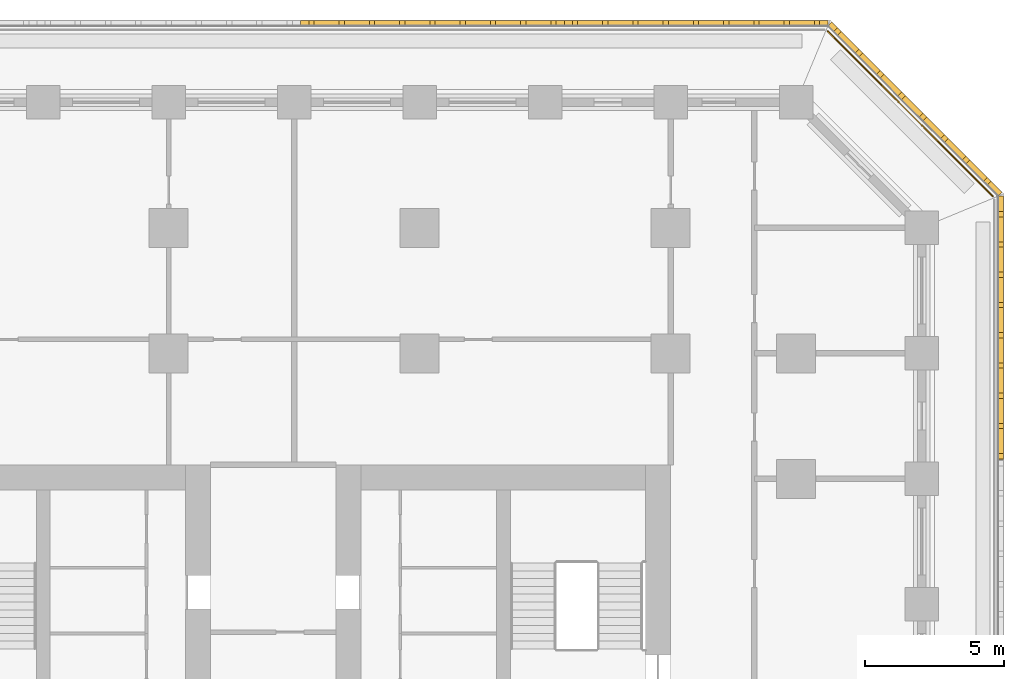
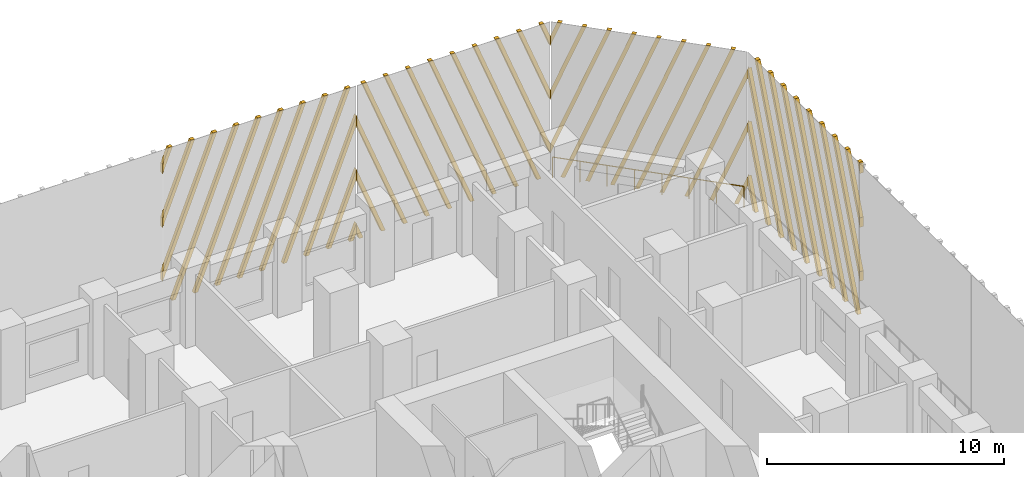
# One storey, part 18 of 19: 4 shading devices, 1 railing.
"""IFC4 building model written with IfcOpenShell, lengths in metres."""

from ifc_helpers import new_model, si_unit, direction, frame, origin, origin_2d, place, context, subcontext, project, spatial, polyline, circle, outline, extrude, source, transform, mapped, material, type_object, element, save


model = new_model("IFC4")

# Units and contexts
model_context = context("Model", 3, precision=1e-05, world=origin(), true_north=direction((0.0, 1.0)))
body_context = subcontext(model_context, "Body", "Model", "MODEL_VIEW")
ifc_project = project(units=[si_unit("LENGTHUNIT", "METRE"), si_unit("AREAUNIT", "SQUARE_METRE"), si_unit("VOLUMEUNIT", "CUBIC_METRE"), si_unit("PLANEANGLEUNIT", "RADIAN"), si_unit("MASSUNIT", "GRAM", prefix="KILO")], contexts=[model_context])

# Site, building, storey
site_placement = place(None, origin())
site = spatial("IfcSite", under=ifc_project, at=site_placement, CompositionType="ELEMENT")
building_placement = place(site_placement, origin())
building = spatial("IfcBuilding", under=site, at=building_placement, Name="Corbel Stack Research Tower", CompositionType="ELEMENT")
storey_placement = place(building_placement, frame((0.0, 0.0, 124.89990234375)))
storey = spatial("IfcBuildingStorey", under=building, at=storey_placement, Name="L28", CompositionType="ELEMENT", Elevation=124.89990234375)

# Railing
ifc_material_1 = material(Name="Powder-coated steel guard", Category="steel")
railing_type = type_object("IfcRailingType", Name="Steel and glass guard 1100", PredefinedType="GUARDRAIL", material=ifc_material_1)
railing_placement = place(storey_placement, frame((29.54931640625, 28.127685546875, 0.0)))
element("IfcRailing", 1, at=railing_placement, inside=storey, type_object=railing_type, Name="Loggia guard L28 NE", PredefinedType="GUARDRAIL", context=body_context, shape_type="SweptSolid", body=[
    extrude(circle(Radius=0.02392578125, at=origin_2d()), frame((0.0, 0.0, 1.076171875), z_axis=(-0.707106781187, 0.707106781187, 0.0), x_axis=(-0.707106781187, -0.707106781187, 0.0)), (0.0, 0.0, 1.0), 8.37451171875),
    extrude(circle(Radius=0.02099609375, at=origin_2d()), origin(), (0.0, 0.0, 1.0), 1.052001953125),
    extrude(circle(Radius=0.02099609375, at=origin_2d()), frame((-0.845947265625, 0.845947265625, 0.0)), (0.0, 0.0, 1.0), 1.052001953125),
    extrude(circle(Radius=0.02099609375, at=origin_2d()), frame((-1.69189453125, 1.69189453125, 0.0)), (0.0, 0.0, 1.0), 1.052001953125),
    extrude(circle(Radius=0.02099609375, at=origin_2d()), frame((-2.537841796875, 2.537841796875, 0.0)), (0.0, 0.0, 1.0), 1.052001953125),
    extrude(circle(Radius=0.02099609375, at=origin_2d()), frame((-3.3837890625, 3.3837890625, 0.0)), (0.0, 0.0, 1.0), 1.052001953125),
    extrude(circle(Radius=0.02099609375, at=origin_2d()), frame((-4.229736328125, 4.229736328125, 0.0)), (0.0, 0.0, 1.0), 1.052001953125),
    extrude(circle(Radius=0.02099609375, at=origin_2d()), frame((-5.07568359375, 5.07568359375, 0.0)), (0.0, 0.0, 1.0), 1.052001953125),
    extrude(circle(Radius=0.02099609375, at=origin_2d()), frame((-5.921630859375, 5.921630859375, 0.0)), (0.0, 0.0, 1.0), 1.052001953125),
])

# Shading devices
ifc_material_2 = material(Name="Precast terracotta", Category="masonry")
shading_device_type = type_object("IfcShadingDeviceType", Name="Terracotta screen panel", PredefinedType="USERDEFINED", material=ifc_material_2)
shared_shape_1 = source(origin(), body_context, "Body", "SweptSolid", [
    extrude(outline(polyline([(0.217041015625, 7.949951171875), (0.027099609375, 7.949951171875), (0.0, 7.880859375), (0.0, 7.394287109375), (0.217041015625, 7.949951171875)])), frame((0.0, 0.0, 0.0), z_axis=(0.0, -1.0, 0.0), x_axis=(1.0, 0.0, 0.0)), (0.0, 0.0, 1.0), 0.179931640625),
    extrude(outline(polyline([(1.3017578125, 7.949951171875), (1.11181640625, 7.949951171875), (0.0, 5.103515625), (0.0, 4.616943359375), (1.3017578125, 7.949951171875)])), frame((0.0, 0.0, 0.0), z_axis=(0.0, -1.0, 0.0), x_axis=(1.0, 0.0, 0.0)), (0.0, 0.0, 1.0), 0.179931640625),
    extrude(outline(polyline([(2.386474609375, 7.949951171875), (2.1962890625, 7.949951171875), (0.0, 2.326171875), (0.0, 1.839599609375), (2.386474609375, 7.949951171875)])), frame((0.0, 0.0, 0.0), z_axis=(0.0, -1.0, 0.0), x_axis=(1.0, 0.0, 0.0)), (0.0, 0.0, 1.0), 0.179931640625),
    extrude(outline(polyline([(0.3662109375, 0.0), (3.470947265625, 7.949951171875), (3.281005859375, 7.949951171875), (0.17626953125, 0.0), (0.3662109375, 0.0)])), frame((0.0, 0.0, 0.0), z_axis=(0.0, -1.0, 0.0), x_axis=(1.0, 0.0, 0.0)), (0.0, 0.0, 1.0), 0.179931640625),
    extrude(outline(polyline([(1.45068359375, 0.0), (4.5556640625, 7.949951171875), (4.36572265625, 7.949951171875), (1.2607421875, 0.0), (1.45068359375, 0.0)])), frame((0.0, 0.0, 0.0), z_axis=(0.0, -1.0, 0.0), x_axis=(1.0, 0.0, 0.0)), (0.0, 0.0, 1.0), 0.179931640625),
    extrude(outline(polyline([(2.535400390625, 0.0), (5.640380859375, 7.949951171875), (5.4501953125, 7.949951171875), (2.345458984375, 0.0), (2.535400390625, 0.0)])), frame((0.0, 0.0, 0.0), z_axis=(0.0, -1.0, 0.0), x_axis=(1.0, 0.0, 0.0)), (0.0, 0.0, 1.0), 0.179931640625),
    extrude(outline(polyline([(3.6201171875, 0.0), (6.72509765625, 7.949951171875), (6.534912109375, 7.949951171875), (3.43017578125, 0.0), (3.6201171875, 0.0)])), frame((0.0, 0.0, 0.0), z_axis=(0.0, -1.0, 0.0), x_axis=(1.0, 0.0, 0.0)), (0.0, 0.0, 1.0), 0.179931640625),
    extrude(outline(polyline([(4.704833984375, 0.0), (7.809814453125, 7.949951171875), (7.61962890625, 7.949951171875), (4.514892578125, 0.0), (4.704833984375, 0.0)])), frame((0.0, 0.0, 0.0), z_axis=(0.0, -1.0, 0.0), x_axis=(1.0, 0.0, 0.0)), (0.0, 0.0, 1.0), 0.179931640625),
    extrude(outline(polyline([(5.78955078125, 0.0), (8.894287109375, 7.949951171875), (8.704345703125, 7.949951171875), (5.599609375, 0.0), (5.78955078125, 0.0)])), frame((0.0, 0.0, 0.0), z_axis=(0.0, -1.0, 0.0), x_axis=(1.0, 0.0, 0.0)), (0.0, 0.0, 1.0), 0.179931640625),
    extrude(outline(polyline([(6.874267578125, 0.0), (9.45556640625, 6.60986328125), (9.45556640625, 7.096435546875), (6.68408203125, 0.0), (6.874267578125, 0.0)])), frame((0.0, 0.0, 0.0), z_axis=(0.0, -1.0, 0.0), x_axis=(1.0, 0.0, 0.0)), (0.0, 0.0, 1.0), 0.179931640625),
    extrude(outline(polyline([(7.958740234375, 0.0), (9.45556640625, 3.83251953125), (9.45556640625, 4.319091796875), (7.768798828125, 0.0), (7.958740234375, 0.0)])), frame((0.0, 0.0, 0.0), z_axis=(0.0, -1.0, 0.0), x_axis=(1.0, 0.0, 0.0)), (0.0, 0.0, 1.0), 0.179931640625),
    extrude(outline(polyline([(9.04345703125, 0.0), (9.45556640625, 1.055419921875), (9.45556640625, 1.541748046875), (8.853515625, 0.0), (9.04345703125, 0.0)])), frame((0.0, 0.0, 0.0), z_axis=(0.0, -1.0, 0.0), x_axis=(1.0, 0.0, 0.0)), (0.0, 0.0, 1.0), 0.179931640625),
])
shading_device_1_placement = place(storey_placement, frame((29.75, 18.68359375, 0.0), z_axis=(0.0, 0.0, 1.0), x_axis=(0.0, 1.0, 0.0)))
element("IfcShadingDevice", 2, at=shading_device_1_placement, inside=storey, type_object=shading_device_type, Name="Terracotta screen L28 E5", ObjectType="SCREEN", PredefinedType="USERDEFINED", context=body_context, shape_type="MappedRepresentation", body=[
    mapped(shared_shape_1, transform((0.0, 0.0, 0.0))),
])
shared_shape_2 = source(origin(), body_context, "Body", "SweptSolid", [
    extrude(outline(polyline([(0.60205078125, 0.0), (0.0, 1.541748046875), (0.0, 1.055419921875), (0.412109375, 0.0), (0.60205078125, 0.0)])), frame((0.0, 0.0, 0.0), z_axis=(0.0, -1.0, 0.0), x_axis=(1.0, 0.0, 0.0)), (0.0, 0.0, 1.0), 0.179931640625),
    extrude(outline(polyline([(1.686767578125, 0.0), (0.0, 4.319091796875), (0.0, 3.83251953125), (1.496826171875, 0.0), (1.686767578125, 0.0)])), frame((0.0, 0.0, 0.0), z_axis=(0.0, -1.0, 0.0), x_axis=(1.0, 0.0, 0.0)), (0.0, 0.0, 1.0), 0.179931640625),
    extrude(outline(polyline([(2.771484375, 0.0), (0.0, 7.096435546875), (0.0, 6.60986328125), (2.58154296875, 0.0), (2.771484375, 0.0)])), frame((0.0, 0.0, 0.0), z_axis=(0.0, -1.0, 0.0), x_axis=(1.0, 0.0, 0.0)), (0.0, 0.0, 1.0), 0.179931640625),
    extrude(outline(polyline([(3.856201171875, 0.0), (0.751220703125, 7.949951171875), (0.561279296875, 7.949951171875), (3.666015625, 0.0), (3.856201171875, 0.0)])), frame((0.0, 0.0, 0.0), z_axis=(0.0, -1.0, 0.0), x_axis=(1.0, 0.0, 0.0)), (0.0, 0.0, 1.0), 0.179931640625),
    extrude(outline(polyline([(4.94091796875, 0.0), (1.8359375, 7.949951171875), (1.64599609375, 7.949951171875), (4.750732421875, 0.0), (4.94091796875, 0.0)])), frame((0.0, 0.0, 0.0), z_axis=(0.0, -1.0, 0.0), x_axis=(1.0, 0.0, 0.0)), (0.0, 0.0, 1.0), 0.179931640625),
    extrude(outline(polyline([(6.025390625, 0.0), (2.920654296875, 7.949951171875), (2.730712890625, 7.949951171875), (5.83544921875, 0.0), (6.025390625, 0.0)])), frame((0.0, 0.0, 0.0), z_axis=(0.0, -1.0, 0.0), x_axis=(1.0, 0.0, 0.0)), (0.0, 0.0, 1.0), 0.179931640625),
    extrude(outline(polyline([(7.110107421875, 0.0), (4.00537109375, 7.949951171875), (3.815185546875, 7.949951171875), (6.920166015625, 0.0), (7.110107421875, 0.0)])), frame((0.0, 0.0, 0.0), z_axis=(0.0, -1.0, 0.0), x_axis=(1.0, 0.0, 0.0)), (0.0, 0.0, 1.0), 0.179931640625),
    extrude(outline(polyline([(8.19482421875, 0.0), (5.090087890625, 7.949951171875), (4.89990234375, 7.949951171875), (8.0048828125, 0.0), (8.19482421875, 0.0)])), frame((0.0, 0.0, 0.0), z_axis=(0.0, -1.0, 0.0), x_axis=(1.0, 0.0, 0.0)), (0.0, 0.0, 1.0), 0.179931640625),
    extrude(outline(polyline([(6.174560546875, 7.949951171875), (5.984619140625, 7.949951171875), (8.64208984375, 1.1455078125), (8.64208984375, 1.6318359375), (6.174560546875, 7.949951171875)])), frame((0.0, 0.0, 0.0), z_axis=(0.0, -1.0, 0.0), x_axis=(1.0, 0.0, 0.0)), (0.0, 0.0, 1.0), 0.179931640625),
    extrude(outline(polyline([(7.25927734375, 7.949951171875), (7.0693359375, 7.949951171875), (8.64208984375, 3.922607421875), (8.64208984375, 4.4091796875), (7.25927734375, 7.949951171875)])), frame((0.0, 0.0, 0.0), z_axis=(0.0, -1.0, 0.0), x_axis=(1.0, 0.0, 0.0)), (0.0, 0.0, 1.0), 0.179931640625),
    extrude(outline(polyline([(8.343994140625, 7.949951171875), (8.15380859375, 7.949951171875), (8.64208984375, 6.699951171875), (8.64208984375, 7.1865234375), (8.343994140625, 7.949951171875)])), frame((0.0, 0.0, 0.0), z_axis=(0.0, -1.0, 0.0), x_axis=(1.0, 0.0, 0.0)), (0.0, 0.0, 1.0), 0.179931640625),
])
shading_device_2_placement = place(storey_placement, frame((29.75, 28.13916015625, 0.0), z_axis=(0.0, 0.0, 1.0), x_axis=(-0.707106781187, 0.707106781187, 0.0)))
element("IfcShadingDevice", 3, at=shading_device_2_placement, inside=storey, type_object=shading_device_type, Name="Terracotta screen L28 NE1", ObjectType="SCREEN", PredefinedType="USERDEFINED", context=body_context, shape_type="MappedRepresentation", body=[
    mapped(shared_shape_2, transform((0.0, 0.0, 0.0))),
])
shared_shape_3 = source(origin(), body_context, "Body", "SweptSolid", [
    extrude(outline(polyline([(0.48828125, 7.949951171875), (0.298095703125, 7.949951171875), (0.0, 7.1865234375), (0.0, 6.699951171875), (0.48828125, 7.949951171875)])), frame((0.0, 0.0, 0.0), z_axis=(0.0, -1.0, 0.0), x_axis=(1.0, 0.0, 0.0)), (0.0, 0.0, 1.0), 0.179931640625),
    extrude(outline(polyline([(1.572998046875, 7.949951171875), (1.3828125, 7.949951171875), (0.0, 4.4091796875), (0.0, 3.922607421875), (1.572998046875, 7.949951171875)])), frame((0.0, 0.0, 0.0), z_axis=(0.0, -1.0, 0.0), x_axis=(1.0, 0.0, 0.0)), (0.0, 0.0, 1.0), 0.179931640625),
    extrude(outline(polyline([(2.657470703125, 7.949951171875), (2.467529296875, 7.949951171875), (0.0, 1.6318359375), (0.0, 1.1455078125), (2.657470703125, 7.949951171875)])), frame((0.0, 0.0, 0.0), z_axis=(0.0, -1.0, 0.0), x_axis=(1.0, 0.0, 0.0)), (0.0, 0.0, 1.0), 0.179931640625),
    extrude(outline(polyline([(0.63720703125, 0.0), (3.7421875, 7.949951171875), (3.55224609375, 7.949951171875), (0.447265625, 0.0), (0.63720703125, 0.0)])), frame((0.0, 0.0, 0.0), z_axis=(0.0, -1.0, 0.0), x_axis=(1.0, 0.0, 0.0)), (0.0, 0.0, 1.0), 0.179931640625),
    extrude(outline(polyline([(1.721923828125, 0.0), (4.826904296875, 7.949951171875), (4.636962890625, 7.949951171875), (1.531982421875, 0.0), (1.721923828125, 0.0)])), frame((0.0, 0.0, 0.0), z_axis=(0.0, -1.0, 0.0), x_axis=(1.0, 0.0, 0.0)), (0.0, 0.0, 1.0), 0.179931640625),
    extrude(outline(polyline([(2.806640625, 0.0), (5.91162109375, 7.949951171875), (5.721435546875, 7.949951171875), (2.61669921875, 0.0), (2.806640625, 0.0)])), frame((0.0, 0.0, 0.0), z_axis=(0.0, -1.0, 0.0), x_axis=(1.0, 0.0, 0.0)), (0.0, 0.0, 1.0), 0.179931640625),
    extrude(outline(polyline([(3.891357421875, 0.0), (6.99609375, 7.949951171875), (6.80615234375, 7.949951171875), (3.701416015625, 0.0), (3.891357421875, 0.0)])), frame((0.0, 0.0, 0.0), z_axis=(0.0, -1.0, 0.0), x_axis=(1.0, 0.0, 0.0)), (0.0, 0.0, 1.0), 0.179931640625),
    extrude(outline(polyline([(4.97607421875, 0.0), (8.080810546875, 7.949951171875), (7.890869140625, 7.949951171875), (4.785888671875, 0.0), (4.97607421875, 0.0)])), frame((0.0, 0.0, 0.0), z_axis=(0.0, -1.0, 0.0), x_axis=(1.0, 0.0, 0.0)), (0.0, 0.0, 1.0), 0.179931640625),
    extrude(outline(polyline([(6.060791015625, 0.0), (9.16552734375, 7.949951171875), (8.9755859375, 7.949951171875), (5.87060546875, 0.0), (6.060791015625, 0.0)])), frame((0.0, 0.0, 0.0), z_axis=(0.0, -1.0, 0.0), x_axis=(1.0, 0.0, 0.0)), (0.0, 0.0, 1.0), 0.179931640625),
    extrude(outline(polyline([(7.145263671875, 0.0), (9.45556640625, 5.91552734375), (9.45556640625, 6.402099609375), (6.955322265625, 0.0), (7.145263671875, 0.0)])), frame((0.0, 0.0, 0.0), z_axis=(0.0, -1.0, 0.0), x_axis=(1.0, 0.0, 0.0)), (0.0, 0.0, 1.0), 0.179931640625),
    extrude(outline(polyline([(8.22998046875, 0.0), (9.45556640625, 3.13818359375), (9.45556640625, 3.624755859375), (8.0400390625, 0.0), (8.22998046875, 0.0)])), frame((0.0, 0.0, 0.0), z_axis=(0.0, -1.0, 0.0), x_axis=(1.0, 0.0, 0.0)), (0.0, 0.0, 1.0), 0.179931640625),
    extrude(outline(polyline([(9.314697265625, 0.0), (9.45556640625, 0.361083984375), (9.45556640625, 0.847412109375), (9.124755859375, 0.0), (9.314697265625, 0.0)])), frame((0.0, 0.0, 0.0), z_axis=(0.0, -1.0, 0.0), x_axis=(1.0, 0.0, 0.0)), (0.0, 0.0, 1.0), 0.179931640625),
])
shading_device_3_placement = place(storey_placement, frame((23.63916015625, 34.25, 0.0), z_axis=(0.0, 0.0, 1.0), x_axis=(-1.0, 0.0, 0.0)))
element("IfcShadingDevice", 4, at=shading_device_3_placement, inside=storey, type_object=shading_device_type, Name="Terracotta screen L28 N1", ObjectType="SCREEN", PredefinedType="USERDEFINED", context=body_context, shape_type="MappedRepresentation", body=[
    mapped(shared_shape_3, transform((0.0, 0.0, 0.0))),
])
shared_shape_4 = source(origin(), body_context, "Body", "SweptSolid", [
    extrude(outline(polyline([(0.3310546875, 0.0), (0.0, 0.847412109375), (0.0, 0.361083984375), (0.14111328125, 0.0), (0.3310546875, 0.0)])), frame((0.0, 0.0, 0.0), z_axis=(0.0, -1.0, 0.0), x_axis=(1.0, 0.0, 0.0)), (0.0, 0.0, 1.0), 0.179931640625),
    extrude(outline(polyline([(1.41552734375, 0.0), (0.0, 3.624755859375), (0.0, 3.13818359375), (1.2255859375, 0.0), (1.41552734375, 0.0)])), frame((0.0, 0.0, 0.0), z_axis=(0.0, -1.0, 0.0), x_axis=(1.0, 0.0, 0.0)), (0.0, 0.0, 1.0), 0.179931640625),
    extrude(outline(polyline([(2.500244140625, 0.0), (0.0, 6.402099609375), (0.0, 5.91552734375), (2.310302734375, 0.0), (2.500244140625, 0.0)])), frame((0.0, 0.0, 0.0), z_axis=(0.0, -1.0, 0.0), x_axis=(1.0, 0.0, 0.0)), (0.0, 0.0, 1.0), 0.179931640625),
    extrude(outline(polyline([(3.5849609375, 0.0), (0.47998046875, 7.949951171875), (0.2900390625, 7.949951171875), (3.39501953125, 0.0), (3.5849609375, 0.0)])), frame((0.0, 0.0, 0.0), z_axis=(0.0, -1.0, 0.0), x_axis=(1.0, 0.0, 0.0)), (0.0, 0.0, 1.0), 0.179931640625),
    extrude(outline(polyline([(4.669677734375, 0.0), (1.564697265625, 7.949951171875), (1.374755859375, 7.949951171875), (4.4794921875, 0.0), (4.669677734375, 0.0)])), frame((0.0, 0.0, 0.0), z_axis=(0.0, -1.0, 0.0), x_axis=(1.0, 0.0, 0.0)), (0.0, 0.0, 1.0), 0.179931640625),
    extrude(outline(polyline([(5.75439453125, 0.0), (2.6494140625, 7.949951171875), (2.45947265625, 7.949951171875), (5.564208984375, 0.0), (5.75439453125, 0.0)])), frame((0.0, 0.0, 0.0), z_axis=(0.0, -1.0, 0.0), x_axis=(1.0, 0.0, 0.0)), (0.0, 0.0, 1.0), 0.179931640625),
    extrude(outline(polyline([(6.839111328125, 0.0), (3.734130859375, 7.949951171875), (3.544189453125, 7.949951171875), (6.64892578125, 0.0), (6.839111328125, 0.0)])), frame((0.0, 0.0, 0.0), z_axis=(0.0, -1.0, 0.0), x_axis=(1.0, 0.0, 0.0)), (0.0, 0.0, 1.0), 0.179931640625),
    extrude(outline(polyline([(7.923583984375, 0.0), (4.81884765625, 7.949951171875), (4.62890625, 7.949951171875), (7.733642578125, 0.0), (7.923583984375, 0.0)])), frame((0.0, 0.0, 0.0), z_axis=(0.0, -1.0, 0.0), x_axis=(1.0, 0.0, 0.0)), (0.0, 0.0, 1.0), 0.179931640625),
    extrude(outline(polyline([(9.00830078125, 0.0), (5.903564453125, 7.949951171875), (5.71337890625, 7.949951171875), (8.818359375, 0.0), (9.00830078125, 0.0)])), frame((0.0, 0.0, 0.0), z_axis=(0.0, -1.0, 0.0), x_axis=(1.0, 0.0, 0.0)), (0.0, 0.0, 1.0), 0.179931640625),
    extrude(outline(polyline([(6.988037109375, 7.949951171875), (6.798095703125, 7.949951171875), (9.45556640625, 1.1455078125), (9.45556640625, 1.6318359375), (6.988037109375, 7.949951171875)])), frame((0.0, 0.0, 0.0), z_axis=(0.0, -1.0, 0.0), x_axis=(1.0, 0.0, 0.0)), (0.0, 0.0, 1.0), 0.179931640625),
    extrude(outline(polyline([(8.07275390625, 7.949951171875), (7.8828125, 7.949951171875), (9.45556640625, 3.922607421875), (9.45556640625, 4.4091796875), (8.07275390625, 7.949951171875)])), frame((0.0, 0.0, 0.0), z_axis=(0.0, -1.0, 0.0), x_axis=(1.0, 0.0, 0.0)), (0.0, 0.0, 1.0), 0.179931640625),
    extrude(outline(polyline([(9.157470703125, 7.949951171875), (8.96728515625, 7.949951171875), (9.45556640625, 6.699951171875), (9.45556640625, 7.1865234375), (9.157470703125, 7.949951171875)])), frame((0.0, 0.0, 0.0), z_axis=(0.0, -1.0, 0.0), x_axis=(1.0, 0.0, 0.0)), (0.0, 0.0, 1.0), 0.179931640625),
])
shading_device_4_placement = place(storey_placement, frame((14.18359375, 34.25, 0.0), z_axis=(0.0, 0.0, 1.0), x_axis=(-1.0, 0.0, 0.0)))
element("IfcShadingDevice", 5, at=shading_device_4_placement, inside=storey, type_object=shading_device_type, Name="Terracotta screen L28 N2", ObjectType="SCREEN", PredefinedType="USERDEFINED", context=body_context, shape_type="MappedRepresentation", body=[
    mapped(shared_shape_4, transform((0.0, 0.0, 0.0))),
])

save(model, "model.ifc")
